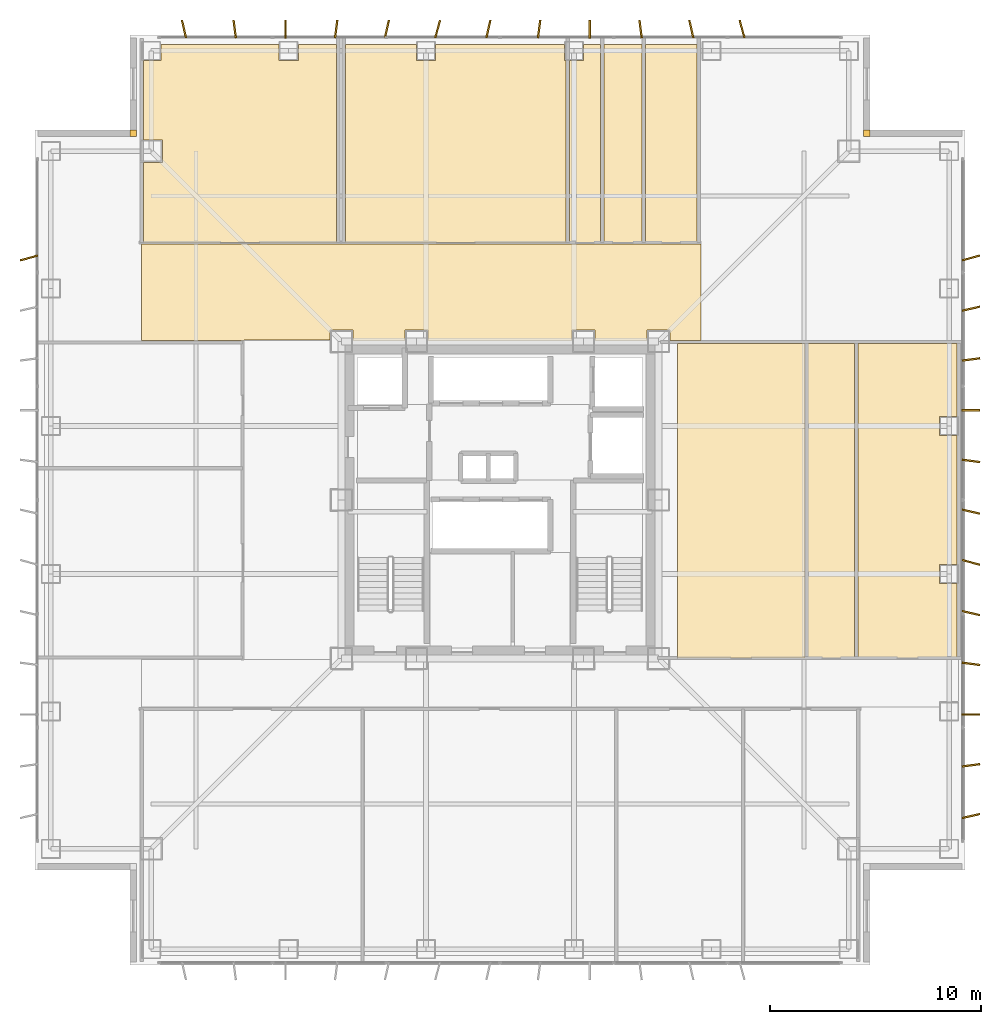
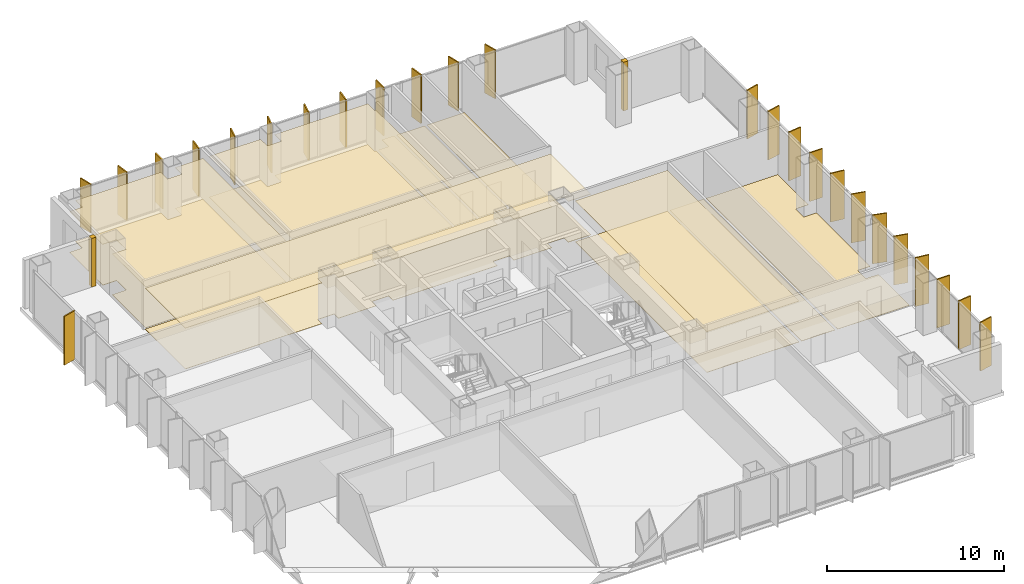
# One storey, part 17 of 17: 25 shading devices, 15 coverings.
"""IFC4 building model written with IfcOpenShell, lengths in metres."""

from ifc_helpers import new_model, si_unit, direction, frame, origin, origin_2d, place, context, subcontext, project, spatial, polyline, rectangle, outline, extrude, material, layer, layer_set, type_object, element, save


model = new_model("IFC4")

# Units and contexts
model_context = context("Model", 3, precision=1e-05, world=origin(), true_north=direction((0.0, 1.0)))
body_context = subcontext(model_context, "Body", "Model", "MODEL_VIEW")
ifc_project = project(units=[si_unit("LENGTHUNIT", "METRE"), si_unit("AREAUNIT", "SQUARE_METRE"), si_unit("VOLUMEUNIT", "CUBIC_METRE"), si_unit("PLANEANGLEUNIT", "RADIAN"), si_unit("MASSUNIT", "GRAM", prefix="KILO")], contexts=[model_context])

# Site, building, storey
site_placement = place(None, origin())
site = spatial("IfcSite", under=ifc_project, at=site_placement, CompositionType="ELEMENT")
building_placement = place(site_placement, origin())
building = spatial("IfcBuilding", under=site, at=building_placement, Name="Trevonay Congress Spire", CompositionType="ELEMENT")
storey_placement = place(building_placement, frame((0.0, 0.0, 126.39990234375)))
storey = spatial("IfcBuildingStorey", under=building, at=storey_placement, Name="L32", CompositionType="ELEMENT", Elevation=126.39990234375)

# Coverings
ifc_material_1 = material(Name="Acoustic Mineral Fibre Board", Category="gypsum")
ifc_layer_1 = layer(ifc_material_1, 0.02490234375, Name="Acoustic Mineral Fibre Board")
ifc_layer_set_1 = layer_set([ifc_layer_1], Name="Acoustic Mineral Fibre Board")
covering_type_1 = type_object("IfcCoveringType", Name="COV-CEIL-ACOUSTIC", PredefinedType="CEILING", material=ifc_layer_set_1)
covering_1_placement = place(storey_placement, frame((0.0, 0.0, 2.81005859375)))
element("IfcCovering", 1, at=covering_1_placement, inside=storey, type_object=covering_type_1, Name="L32 North Sky Promenade Salon acoustic suspended ceiling", PredefinedType="CEILING", context=body_context, shape_type="SweptSolid", body=[
    extrude(outline(polyline([(-16.949951171875, 12.10009765625), (9.5, 12.10009765625), (9.5, 7.550048828125), (8.034912109375, 7.550048828125), (8.034912109375, 8.034912109375), (6.965087890625, 8.034912109375), (6.965087890625, 7.550048828125), (4.485107421875, 7.550048828125), (4.485107421875, 8.034912109375), (3.4150390625, 8.034912109375), (3.4150390625, 7.550048828125), (-3.4150390625, 7.550048828125), (-3.4150390625, 8.034912109375), (-4.485107421875, 8.034912109375), (-4.485107421875, 7.550048828125), (-6.965087890625, 7.550048828125), (-6.965087890625, 8.034912109375), (-8.034912109375, 8.034912109375), (-8.034912109375, 7.56005859375), (-12.110107421875, 7.56005859375), (-12.110107421875, 7.550048828125), (-16.949951171875, 7.550048828125), (-16.949951171875, 12.10009765625)])), origin(), (0.0, 0.0, 1.0), 0.025146484375),
])
covering_2_placement = place(storey_placement, frame((0.0, 0.0, 2.81005859375)))
element("IfcCovering", 2, at=covering_2_placement, inside=storey, type_object=covering_type_1, Name="L32 North-West Terrace Cafe Lounge acoustic suspended ceiling", PredefinedType="CEILING", context=body_context, shape_type="SweptSolid", body=[
    extrude(outline(polyline([(-7.72998046875, 21.550048828125), (-7.72998046875, 12.179931640625), (-16.8701171875, 12.179931640625), (-16.8701171875, 15.965087890625), (-15.965087890625, 15.965087890625), (-15.965087890625, 17.034912109375), (-16.8701171875, 17.034912109375), (-16.8701171875, 20.7900390625), (-16.0400390625, 20.7900390625), (-16.0400390625, 21.550048828125), (-10.4599609375, 21.550048828125), (-10.4599609375, 20.7900390625), (-9.5400390625, 20.7900390625), (-9.5400390625, 21.550048828125), (-7.72998046875, 21.550048828125)])), origin(), (0.0, 0.0, 1.0), 0.025146484375),
])
covering_3_placement = place(storey_placement, frame((0.0, 0.0, 2.81005859375)))
element("IfcCovering", 3, at=covering_3_placement, inside=storey, type_object=covering_type_1, Name="L32 International Press Club Lounge acoustic suspended ceiling", PredefinedType="CEILING", context=body_context, shape_type="SweptSolid", body=[
    extrude(outline(polyline([(3.1201171875, 12.179931640625), (-7.320068359375, 12.179931640625), (-7.320068359375, 21.550048828125), (-3.9599609375, 21.550048828125), (-3.9599609375, 20.7900390625), (-3.0400390625, 20.7900390625), (-3.0400390625, 21.550048828125), (3.0400390625, 21.550048828125), (3.0400390625, 20.7900390625), (3.1201171875, 20.7900390625), (3.1201171875, 12.179931640625)])), origin(), (0.0, 0.0, 1.0), 0.025146484375),
])
covering_4_placement = place(storey_placement, frame((0.0, 0.0, 2.81005859375)))
element("IfcCovering", 4, at=covering_4_placement, inside=storey, type_object=covering_type_1, Name="L32 Press Editorial Office acoustic suspended ceiling", PredefinedType="CEILING", context=body_context, shape_type="SweptSolid", body=[
    extrude(outline(polyline([(8.39990234375, -7.47998046875), (14.419921875, -7.47998046875), (14.419921875, 7.39990234375), (8.39990234375, 7.39990234375), (8.39990234375, -7.47998046875)])), origin(), (0.0, 0.0, 1.0), 0.025146484375),
])
ifc_material_2 = material(Name="Polished Granite Floor Tile", Category="masonry")
ifc_layer_2 = layer(ifc_material_2, 0.02001953125, Name="Polished Granite Floor Tile")
ifc_layer_set_2 = layer_set([ifc_layer_2], Name="Polished Granite Floor Tile")
covering_type_2 = type_object("IfcCoveringType", Name="COV-FLOOR-STONE", PredefinedType="FLOORING", material=ifc_layer_set_2)
covering_5_placement = place(storey_placement, origin())
element("IfcCovering", 5, at=covering_5_placement, inside=storey, type_object=covering_type_2, Name="L32 Accessible WC floor finish", PredefinedType="FLOORING", context=body_context, shape_type="SweptSolid", body=[
    extrude(outline(polyline([(4.75, 21.550048828125), (4.75, 12.179931640625), (3.280029296875, 12.179931640625), (3.280029296875, 20.7900390625), (3.9599609375, 20.7900390625), (3.9599609375, 21.550048828125), (4.75, 21.550048828125)])), origin(), (0.0, 0.0, 1.0), 0.02001953125),
])
covering_6_placement = place(storey_placement, origin())
element("IfcCovering", 6, at=covering_6_placement, inside=storey, type_object=covering_type_2, Name="L32 Floor Supplies and Copy Room floor finish", PredefinedType="FLOORING", context=body_context, shape_type="SweptSolid", body=[
    extrude(outline(polyline([(4.909912109375, 12.179931640625), (6.719970703125, 12.179931640625), (6.719970703125, 21.550048828125), (4.909912109375, 21.550048828125), (4.909912109375, 12.179931640625)])), origin(), (0.0, 0.0, 1.0), 0.02001953125),
])
covering_7_placement = place(storey_placement, origin())
element("IfcCovering", 7, at=covering_7_placement, inside=storey, type_object=covering_type_2, Name="L32 Female Restroom WC floor finish", PredefinedType="FLOORING", context=body_context, shape_type="SweptSolid", body=[
    extrude(outline(polyline([(6.8798828125, 12.179931640625), (9.320068359375, 12.179931640625), (9.320068359375, 21.550048828125), (6.8798828125, 21.550048828125), (6.8798828125, 12.179931640625)])), origin(), (0.0, 0.0, 1.0), 0.02001953125),
])
covering_8_placement = place(storey_placement, origin())
element("IfcCovering", 8, at=covering_8_placement, inside=storey, type_object=covering_type_2, Name="L32 Male Restroom WC floor finish", PredefinedType="FLOORING", context=body_context, shape_type="SweptSolid", body=[
    extrude(outline(polyline([(14.580078125, -7.47998046875), (16.77001953125, -7.47998046875), (16.77001953125, 7.39990234375), (14.580078125, 7.39990234375), (14.580078125, -7.47998046875)])), origin(), (0.0, 0.0, 1.0), 0.02001953125),
])
covering_9_placement = place(storey_placement, origin())
element("IfcCovering", 9, at=covering_9_placement, inside=storey, type_object=covering_type_2, Name="L32 Floor Supplies and Copy Room floor finish", PredefinedType="FLOORING", context=body_context, shape_type="SweptSolid", body=[
    extrude(outline(polyline([(21.6201171875, -7.47998046875), (16.929931640625, -7.47998046875), (16.929931640625, 7.39990234375), (21.6201171875, 7.39990234375), (21.6201171875, 3.9599609375), (20.7900390625, 3.9599609375), (20.7900390625, 3.0400390625), (21.6201171875, 3.0400390625), (21.6201171875, -3.0400390625), (20.7900390625, -3.0400390625), (20.7900390625, -3.9599609375), (21.6201171875, -3.9599609375), (21.6201171875, -7.47998046875)])), origin(), (0.0, 0.0, 1.0), 0.02001953125),
])
ifc_material_3 = material(Name="Engineered Oak Flooring", Category="wood")
ifc_layer_3 = layer(ifc_material_3, 0.01806640625, Name="Engineered Oak Flooring")
ifc_layer_set_3 = layer_set([ifc_layer_3], Name="Engineered Oak Flooring")
covering_type_3 = type_object("IfcCoveringType", Name="COV-FLOOR-TIMBER", PredefinedType="FLOORING", material=ifc_layer_set_3)
covering_10_placement = place(storey_placement, origin())
element("IfcCovering", 10, at=covering_10_placement, inside=storey, type_object=covering_type_3, Name="L32 North Sky Promenade Salon floor finish", PredefinedType="FLOORING", context=body_context, shape_type="SweptSolid", body=[
    extrude(outline(polyline([(-16.949951171875, 12.10009765625), (9.5, 12.10009765625), (9.5, 7.550048828125), (8.034912109375, 7.550048828125), (8.034912109375, 8.034912109375), (6.965087890625, 8.034912109375), (6.965087890625, 7.550048828125), (4.485107421875, 7.550048828125), (4.485107421875, 8.034912109375), (3.4150390625, 8.034912109375), (3.4150390625, 7.550048828125), (-3.4150390625, 7.550048828125), (-3.4150390625, 8.034912109375), (-4.485107421875, 8.034912109375), (-4.485107421875, 7.550048828125), (-6.965087890625, 7.550048828125), (-6.965087890625, 8.034912109375), (-8.034912109375, 8.034912109375), (-8.034912109375, 7.56005859375), (-12.110107421875, 7.56005859375), (-12.110107421875, 7.550048828125), (-16.949951171875, 7.550048828125), (-16.949951171875, 12.10009765625)])), origin(), (0.0, 0.0, 1.0), 0.01806640625),
])
covering_11_placement = place(storey_placement, origin())
element("IfcCovering", 11, at=covering_11_placement, inside=storey, type_object=covering_type_3, Name="L32 North-West Terrace Cafe Lounge floor finish", PredefinedType="FLOORING", context=body_context, shape_type="SweptSolid", body=[
    extrude(outline(polyline([(-7.72998046875, 21.550048828125), (-7.72998046875, 12.179931640625), (-16.8701171875, 12.179931640625), (-16.8701171875, 15.965087890625), (-15.965087890625, 15.965087890625), (-15.965087890625, 17.034912109375), (-16.8701171875, 17.034912109375), (-16.8701171875, 20.7900390625), (-16.0400390625, 20.7900390625), (-16.0400390625, 21.550048828125), (-10.4599609375, 21.550048828125), (-10.4599609375, 20.7900390625), (-9.5400390625, 20.7900390625), (-9.5400390625, 21.550048828125), (-7.72998046875, 21.550048828125)])), origin(), (0.0, 0.0, 1.0), 0.01806640625),
])
covering_12_placement = place(storey_placement, origin())
element("IfcCovering", 12, at=covering_12_placement, inside=storey, type_object=covering_type_3, Name="L32 International Press Club Lounge floor finish", PredefinedType="FLOORING", context=body_context, shape_type="SweptSolid", body=[
    extrude(outline(polyline([(3.1201171875, 12.179931640625), (-7.320068359375, 12.179931640625), (-7.320068359375, 21.550048828125), (-3.9599609375, 21.550048828125), (-3.9599609375, 20.7900390625), (-3.0400390625, 20.7900390625), (-3.0400390625, 21.550048828125), (3.0400390625, 21.550048828125), (3.0400390625, 20.7900390625), (3.1201171875, 20.7900390625), (3.1201171875, 12.179931640625)])), origin(), (0.0, 0.0, 1.0), 0.01806640625),
])
covering_13_placement = place(storey_placement, origin())
element("IfcCovering", 13, at=covering_13_placement, inside=storey, type_object=covering_type_3, Name="L32 Press Editorial Office floor finish", PredefinedType="FLOORING", context=body_context, shape_type="SweptSolid", body=[
    extrude(outline(polyline([(8.39990234375, -7.47998046875), (14.419921875, -7.47998046875), (14.419921875, 7.39990234375), (8.39990234375, 7.39990234375), (8.39990234375, -7.47998046875)])), origin(), (0.0, 0.0, 1.0), 0.01806640625),
])
ifc_material_4 = material(Name="Pale Anodised Aluminium EN AW-6063-T6", Category="aluminium")
ifc_layer_4 = layer(ifc_material_4, 0.0400390625, Name="Pale Anodised Aluminium EN AW-6063-T6")
ifc_layer_set_4 = layer_set([ifc_layer_4], Name="Pale Anodised Aluminium EN AW-6063-T6")
covering_type_4 = type_object("IfcCoveringType", Name="COV-SPANDREL-PALE-METAL", PredefinedType="CLADDING", material=ifc_layer_set_4)
covering_14_placement = place(storey_placement, origin())
element("IfcCovering", 14, at=covering_14_placement, inside=storey, type_object=covering_type_4, Name="L32 NE re-entrant notch corner closure trim", PredefinedType="CLADDING", context=body_context, shape_type="SweptSolid", body=[
    extrude(outline(polyline([(17.199951171875, 17.199951171875), (17.5, 17.199951171875), (17.5, 17.5), (17.199951171875, 17.5), (17.199951171875, 17.199951171875)])), origin(), (0.0, 0.0, 1.0), 3.360107421875),
])
covering_15_placement = place(storey_placement, origin())
element("IfcCovering", 15, at=covering_15_placement, inside=storey, type_object=covering_type_4, Name="L32 NW re-entrant notch corner closure trim", PredefinedType="CLADDING", context=body_context, shape_type="SweptSolid", body=[
    extrude(outline(polyline([(-17.5, 17.199951171875), (-17.199951171875, 17.199951171875), (-17.199951171875, 17.5), (-17.5, 17.5), (-17.5, 17.199951171875)])), origin(), (0.0, 0.0, 1.0), 3.360107421875),
])

# Shading devices
shading_device_type = type_object("IfcShadingDeviceType", Name="SHD-FIN-Z2-PALE-METAL", PredefinedType="USERDEFINED", material=ifc_material_4)
for number, where, z_axis, x_axis, name in (
    (16, (-14.949951171875, 22.280029296875, 0.0), (0.0, 0.0, 1.0), (0.97440931131, 0.224780991261, 0.0), "L32 N vertical pale-metal solar fin 1"),
    (17, (-12.550048828125, 22.280029296875, 0.0), (0.0, 0.0, 1.0), (0.991444861374, 0.13052619222, 0.0), "L32 N vertical pale-metal solar fin 2"),
    (18, (-10.14990234375, 22.280029296875, 0.0), (0.0, 0.0, 1.0), (1.0, 0.0, 0.0), "L32 N vertical pale-metal solar fin 3"),
    (19, (-7.75, 22.280029296875, 0.0), (0.0, 0.0, 1.0), (0.991444861374, -0.13052619222, 0.0), "L32 N vertical pale-metal solar fin 4"),
    (20, (-5.35009765625, 22.280029296875, 0.0), (0.0, 0.0, 1.0), (0.97440931131, -0.224780991261, 0.0), "L32 N vertical pale-metal solar fin 5"),
    (21, (-2.949951171875, 22.280029296875, 0.0), (0.0, 0.0, 1.0), (0.965925826289, -0.258819045103, 0.0), "L32 N vertical pale-metal solar fin 6"),
    (22, (-0.550048828125, 22.280029296875, 0.0), (0.0, 0.0, 1.0), (0.97440931131, -0.224780991261, 0.0), "L32 N vertical pale-metal solar fin 7"),
    (23, (1.85009765625, 22.280029296875, 0.0), (0.0, 0.0, 1.0), (0.991444861374, -0.13052619222, 0.0), "L32 N vertical pale-metal solar fin 8"),
    (24, (4.25, 22.280029296875, 0.0), (0.0, 0.0, 1.0), (1.0, 0.0, 0.0), "L32 N vertical pale-metal solar fin 9"),
    (25, (6.64990234375, 22.280029296875, 0.0), (0.0, 0.0, 1.0), (0.991444861374, 0.13052619222, 0.0), "L32 N vertical pale-metal solar fin 10"),
    (26, (9.050048828125, 22.280029296875, 0.0), (0.0, 0.0, 1.0), (0.97440931131, 0.224780991261, 0.0), "L32 N vertical pale-metal solar fin 11"),
    (27, (11.449951171875, 22.280029296875, 0.0), (0.0, 0.0, 1.0), (0.965925826289, 0.258819045103, 0.0), "L32 N vertical pale-metal solar fin 12"),
    (28, (-22.280029296875, 11.449951171875, 0.0), (0.0, 0.0, 1.0), (-0.258819045103, 0.965925826289, 0.0), "L32 W vertical pale-metal solar fin 12"),
    (29, (22.280029296875, -14.949951171875, 0.0), (0.0, 0.0, 1.0), (-0.224780991261, 0.97440931131, 0.0), "L32 E vertical pale-metal solar fin 1"),
    (30, (22.280029296875, -12.550048828125, 0.0), (0.0, 0.0, 1.0), (-0.13052619222, 0.991444861374, 0.0), "L32 E vertical pale-metal solar fin 2"),
    (31, (22.280029296875, -10.14990234375, 0.0), (0.0, 0.0, 1.0), (0.0, 1.0, 0.0), "L32 E vertical pale-metal solar fin 3"),
    (32, (22.280029296875, -7.75, 0.0), (0.0, 0.0, 1.0), (0.13052619222, 0.991444861374, 0.0), "L32 E vertical pale-metal solar fin 4"),
    (33, (22.280029296875, -5.35009765625, 0.0), (0.0, 0.0, 1.0), (0.224780991261, 0.97440931131, 0.0), "L32 E vertical pale-metal solar fin 5"),
    (34, (22.280029296875, -2.949951171875, 0.0), (0.0, 0.0, 1.0), (0.258819045103, 0.965925826289, 0.0), "L32 E vertical pale-metal solar fin 6"),
    (35, (22.280029296875, -0.550048828125, 0.0), (0.0, 0.0, 1.0), (0.224780991261, 0.97440931131, 0.0), "L32 E vertical pale-metal solar fin 7"),
    (36, (22.280029296875, 1.85009765625, 0.0), (0.0, 0.0, 1.0), (0.13052619222, 0.991444861374, 0.0), "L32 E vertical pale-metal solar fin 8"),
    (37, (22.280029296875, 4.25, 0.0), (0.0, 0.0, 1.0), (0.0, 1.0, 0.0), "L32 E vertical pale-metal solar fin 9"),
    (38, (22.280029296875, 6.64990234375, 0.0), (0.0, 0.0, 1.0), (-0.13052619222, 0.991444861374, 0.0), "L32 E vertical pale-metal solar fin 10"),
    (39, (22.280029296875, 9.050048828125, 0.0), (0.0, 0.0, 1.0), (-0.224780991261, 0.97440931131, 0.0), "L32 E vertical pale-metal solar fin 11"),
    (40, (22.280029296875, 11.449951171875, 0.0), (0.0, 0.0, 1.0), (-0.258819045103, 0.965925826289, 0.0), "L32 E vertical pale-metal solar fin 12"),
):
    element("IfcShadingDevice", number, at=place(storey_placement, frame(where, z_axis=z_axis, x_axis=x_axis)), inside=storey, type_object=shading_device_type, Name=name, ObjectType="SOLAR FIN", PredefinedType="USERDEFINED", context=body_context, shape_type="SweptSolid", body=[
        extrude(rectangle(XDim=0.080078125, YDim=0.85009765625, at=origin_2d()), origin(), (0.0, 0.0, 1.0), 3.360107421875),
    ])

save(model, "model.ifc")
